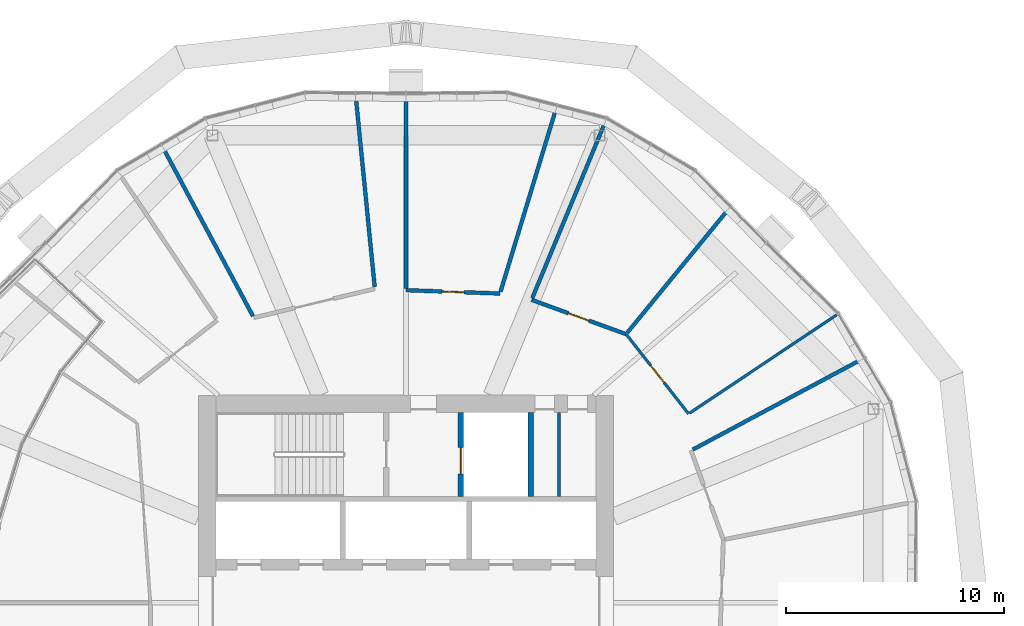
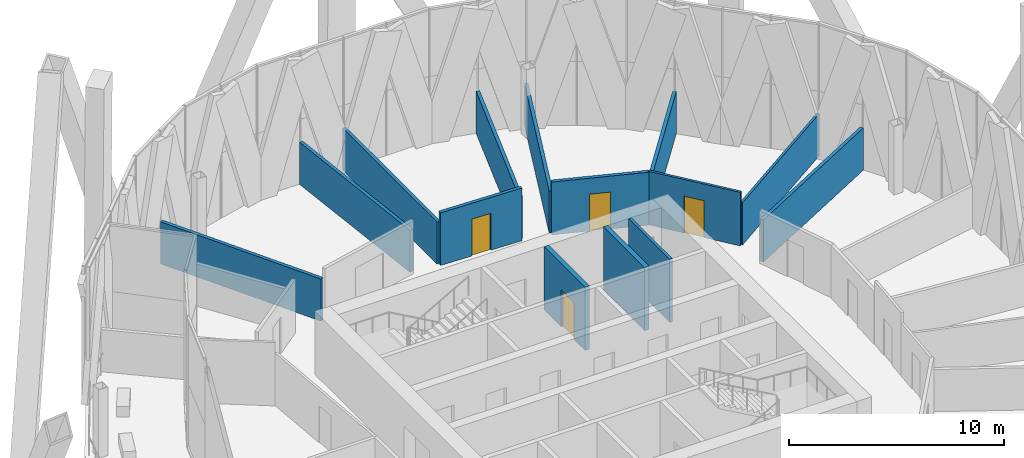
# One storey, part 23 of 30: 14 walls, 4 doors, 4 openings.
"""IFC4 building model written with IfcOpenShell, lengths in metres."""

from ifc_helpers import new_model, si_unit, direction, frame, frame_2d, origin, place, context, subcontext, project, spatial, rectangle, extrude, material, layer, layer_set, type_object, element, fill, save


model = new_model("IFC4")

# Units and contexts
model_context = context("Model", 3, precision=1e-05, world=origin(), true_north=direction((0.0, 1.0)))
body_context = subcontext(model_context, "Body", "Model", "MODEL_VIEW")
ifc_project = project(units=[si_unit("LENGTHUNIT", "METRE"), si_unit("AREAUNIT", "SQUARE_METRE"), si_unit("VOLUMEUNIT", "CUBIC_METRE"), si_unit("PLANEANGLEUNIT", "RADIAN"), si_unit("MASSUNIT", "GRAM", prefix="KILO")], contexts=[model_context])

# Site, building, storey
site_placement = place(None, origin())
site = spatial("IfcSite", under=ifc_project, at=site_placement, CompositionType="ELEMENT")
building_placement = place(site_placement, origin())
building = spatial("IfcBuilding", under=site, at=building_placement, Name="Ogive Gate Towers", CompositionType="ELEMENT")
storey_placement = place(building_placement, frame((0.0, 0.0, 99.60009765625)))
storey = spatial("IfcBuildingStorey", under=building, at=storey_placement, Name="L23", CompositionType="ELEMENT", Elevation=99.60009765625)

# Walls
ifc_material_1 = material(Name="Gypsum board acoustic partition")
ifc_layer_1 = layer(ifc_material_1, 0.175048828125)
ifc_layer_set_1 = layer_set([ifc_layer_1], Name="Acoustic partition 175")
wall_type_1 = type_object("IfcWallType", Name="Acoustic partition 175", PredefinedType="PARTITIONING", material=ifc_layer_set_1)
wall_1_placement = place(storey_placement, frame((-15.1005859375, 11.1640625, 0.0), z_axis=(0.0, 0.0, 1.0), x_axis=(-0.882049803771, -0.471156177576, 0.0)))
element("IfcWall", 1, at=wall_1_placement, inside=storey, type_object=wall_type_1, Name="Partition T1-L23-002", PredefinedType="PARTITIONING", context=body_context, shape_type="SweptSolid", body=[
    extrude(rectangle(XDim=8.8115234375, YDim=0.175048828125, at=frame_2d((4.40576171875, 0.0))), origin(), (0.0, 0.0, 1.0), 2.39990234375),
])
wall_2_placement = place(storey_placement, frame((-21.205322265625, 18.06005859375, 0.0), z_axis=(0.0, 0.0, 1.0), x_axis=(-0.633696392022, -0.773581852643, 0.0)))
element("IfcWall", 2, at=wall_2_placement, inside=storey, type_object=wall_type_1, Name="Partition T1-L23-004", PredefinedType="PARTITIONING", context=body_context, shape_type="SweptSolid", body=[
    extrude(rectangle(XDim=7.361572265625, YDim=0.175048828125, at=frame_2d((3.6806640625, 0.0))), origin(), (0.0, 0.0, 1.0), 2.39990234375),
])
wall_3_placement = place(storey_placement, frame((-26.85009765625, 22.090087890625, 0.0), z_axis=(0.0, 0.0, 1.0), x_axis=(-0.382684585559, -0.923879054842, 0.0)))
element("IfcWall", 3, at=wall_3_placement, inside=storey, type_object=wall_type_1, Name="Partition T1-L23-005", PredefinedType="PARTITIONING", context=body_context, shape_type="SweptSolid", body=[
    extrude(rectangle(XDim=8.8115234375, YDim=0.175048828125, at=frame_2d((4.40576171875, 0.0))), origin(), (0.0, 0.0, 1.0), 2.39990234375),
])
wall_4_placement = place(storey_placement, frame((-29.1162109375, 22.67236328125, 0.0), z_axis=(0.0, 0.0, 1.0), x_axis=(-0.290503348147, -0.956873975357, 0.0)))
element("IfcWall", 4, at=wall_4_placement, inside=storey, type_object=wall_type_1, Name="Partition T1-L23-006", PredefinedType="PARTITIONING", context=body_context, shape_type="SweptSolid", body=[
    extrude(rectangle(XDim=8.811767578125, YDim=0.175048828125, at=frame_2d((4.40576171875, 0.0))), origin(), (0.0, 0.0, 1.0), 2.39990234375),
])
for number, where, z_axis, x_axis, name in (
    (5, (-36.0, 23.208984375, 0.0), (0.0, 0.0, 1.0), (0.0, -1.0, 0.0), "Partition T1-L23-007"),
    (6, (-38.308837890625, 23.231689453125, 0.0), (0.0, 0.0, 1.0), (0.098886463601, -0.995098722397, 0.0), "Partition T1-L23-008"),
    (7, (-47.1640625, 20.8994140625, 0.0), (0.0, 0.0, 1.0), (0.471156177576, -0.882049803771, 0.0), "Partition T1-L23-009"),
):
    element("IfcWall", number, at=place(storey_placement, frame(where, z_axis=z_axis, x_axis=x_axis)), inside=storey, type_object=wall_type_1, Name=name, PredefinedType="PARTITIONING", context=body_context, shape_type="SweptSolid", body=[
        extrude(rectangle(XDim=8.8115234375, YDim=0.175048828125, at=frame_2d((4.40576171875, 0.0))), origin(), (0.0, 0.0, 1.0), 2.39990234375),
    ])

# Wall, opening, door
wall_5_placement = place(storey_placement, frame((-30.255615234375, 13.868408203125, 0.0), z_axis=(0.0, 0.0, 1.0), x_axis=(0.940050059835, -0.341036486325, 0.0)))
wall_5 = element("IfcWall", 8, at=wall_5_placement, inside=storey, type_object=wall_type_1, Name="Partition T1-L23-025", PredefinedType="PARTITIONING", context=body_context, shape_type="SweptSolid", body=[
    extrude(rectangle(XDim=4.60595703125, YDim=0.175048828125, at=frame_2d((2.302978515625, 0.0))), origin(), (0.0, 0.0, 1.0), 3.010009765625),
])
opening_1_placement = place(wall_5_placement, frame((1.802978515625, 0.0, 0.0)))
opening_1 = element("IfcOpeningElement", 9, at=opening_1_placement, cuts=wall_5, Name="Opening T1-L23-D01", PredefinedType="OPENING", context=body_context, shape_type="SweptSolid", body=[
    extrude(rectangle(XDim=1.0, YDim=2.10009765625, at=frame_2d((0.5, 1.050048828125))), frame((0.0, 0.09765625, 0.0), z_axis=(0.0, -1.0, 0.0), x_axis=(1.0, 0.0, 0.0)), (0.0, 0.0, 1.0), 0.195068359375),
])
ifc_material_2 = material(Name="Timber door", Category="wood")
door_type_1 = type_object("IfcDoorType", Name="Door 1000", OperationType="NOTDEFINED", PredefinedType="DOOR", material=ifc_material_2)
door_1_placement = place(opening_1_placement, origin())
door_1 = element("IfcDoor", 10, at=door_1_placement, inside=storey, type_object=door_type_1, Name="Door T1-L23-D01", OperationType="SINGLE_SWING_LEFT", OverallHeight=2.10009765625, OverallWidth=1.0, PredefinedType="DOOR", context=body_context, shape_type="SweptSolid", body=[
    extrude(rectangle(XDim=1.0, YDim=2.10009765625, at=frame_2d((0.5, 1.050048828125))), frame((0.0, 0.02490234375, 0.0), z_axis=(0.0, -1.0, 0.0), x_axis=(1.0, 0.0, 0.0)), (0.0, 0.0, 1.0), 0.050048828125),
])
fill(opening_1, door_1)

wall_6_placement = place(storey_placement, frame((-36.0, 14.31005859375, 0.0), z_axis=(0.0, 0.0, 1.0), x_axis=(0.999366464687, -0.035590297249, 0.0)))
wall_6 = element("IfcWall", 11, at=wall_6_placement, inside=storey, type_object=wall_type_1, Name="Partition T1-L23-042", PredefinedType="PARTITIONING", context=body_context, shape_type="SweptSolid", body=[
    extrude(rectangle(XDim=4.301025390625, YDim=0.175048828125, at=frame_2d((2.150390625, 0.0))), origin(), (0.0, 0.0, 1.0), 3.0),
])
opening_2_placement = place(wall_6_placement, frame((1.65087890625, 0.0, 0.0)))
opening_2 = element("IfcOpeningElement", 12, at=opening_2_placement, cuts=wall_6, Name="Opening T1-L23-D18", PredefinedType="OPENING", context=body_context, shape_type="SweptSolid", body=[
    extrude(rectangle(XDim=1.0, YDim=2.10009765625, at=frame_2d((0.5, 1.050048828125))), frame((0.0, 0.09765625, 0.0), z_axis=(0.0, -1.0, 0.0), x_axis=(1.0, 0.0, 0.0)), (0.0, 0.0, 1.0), 0.195068359375),
])
door_2_placement = place(opening_2_placement, origin())
door_2 = element("IfcDoor", 13, at=door_2_placement, inside=storey, type_object=door_type_1, Name="Door T1-L23-D18", OperationType="SINGLE_SWING_RIGHT", OverallHeight=2.10009765625, OverallWidth=1.0, PredefinedType="DOOR", context=body_context, shape_type="SweptSolid", body=[
    extrude(rectangle(XDim=1.0, YDim=2.10009765625, at=frame_2d((0.5, 1.050048828125))), frame((0.0, 0.02490234375, 0.0), z_axis=(0.0, -1.0, 0.0), x_axis=(1.0, 0.0, 0.0)), (0.0, 0.0, 1.0), 0.050048828125),
])
fill(opening_2, door_2)

# Wall
ifc_material_3 = material(Name="Gypsum board partition")
ifc_layer_2 = layer(ifc_material_3, 0.125)
ifc_layer_set_2 = layer_set([ifc_layer_2], Name="Partition 125")
wall_type_2 = type_object("IfcWallType", Name="Partition 125", PredefinedType="PARTITIONING", material=ifc_layer_set_2)
wall_7_placement = place(storey_placement, frame((-16.290283203125, 13.1787109375, 0.0), z_axis=(0.0, 0.0, 1.0), x_axis=(-0.831292437228, -0.555835302771, 0.0)))
element("IfcWall", 14, at=wall_7_placement, inside=storey, type_object=wall_type_2, Name="Partition T1-L23-003", PredefinedType="PARTITIONING", context=body_context, shape_type="SweptSolid", body=[
    extrude(rectangle(XDim=8.086669921875, YDim=0.125, at=frame_2d((4.04345703125, 0.0))), origin(), (0.0, 0.0, 1.0), 2.39990234375),
])

# Wall, opening, door
wall_8_placement = place(storey_placement, frame((-25.92578125, 12.297607421875, 0.0), z_axis=(0.0, 0.0, 1.0), x_axis=(0.61708176189, -0.786899039994, 0.0)))
wall_8 = element("IfcWall", 15, at=wall_8_placement, inside=storey, type_object=wall_type_2, Name="Partition T1-L23-026", PredefinedType="PARTITIONING", context=body_context, shape_type="SweptSolid", body=[
    extrude(rectangle(XDim=4.636474609375, YDim=0.125, at=frame_2d((2.318359375, 0.0))), origin(), (0.0, 0.0, 1.0), 3.0498046875),
])
opening_3_placement = place(wall_8_placement, frame((1.818115234375, 0.0, 0.0)))
opening_3 = element("IfcOpeningElement", 16, at=opening_3_placement, cuts=wall_8, Name="Opening T1-L23-D02", PredefinedType="OPENING", context=body_context, shape_type="SweptSolid", body=[
    extrude(rectangle(XDim=1.0, YDim=2.10009765625, at=frame_2d((0.5, 1.050048828125))), frame((0.0, 0.072509765625, 0.0), z_axis=(0.0, -1.0, 0.0), x_axis=(1.0, 0.0, 0.0)), (0.0, 0.0, 1.0), 0.14501953125),
])
door_3_placement = place(opening_3_placement, origin())
door_3 = element("IfcDoor", 17, at=door_3_placement, inside=storey, type_object=door_type_1, Name="Door T1-L23-D02", OperationType="SINGLE_SWING_LEFT", OverallHeight=2.10009765625, OverallWidth=1.0, PredefinedType="DOOR", context=body_context, shape_type="SweptSolid", body=[
    extrude(rectangle(XDim=1.0, YDim=2.10009765625, at=frame_2d((0.5, 1.050048828125))), frame((0.0, 0.02490234375, 0.0), z_axis=(0.0, -1.0, 0.0), x_axis=(1.0, 0.0, 0.0)), (0.0, 0.0, 1.0), 0.050048828125),
])
fill(opening_3, door_3)

# Wall
ifc_layer_3 = layer(ifc_material_3, 0.14990234375)
ifc_layer_set_3 = layer_set([ifc_layer_3], Name="Room partition 150 mm")
wall_type_3 = type_object("IfcWallType", Name="Room partition 150 mm", PredefinedType="PARTITIONING", material=ifc_layer_set_3)
wall_9_placement = place(storey_placement, frame((-29.0, 4.875, 0.0), z_axis=(0.0, 0.0, 1.0), x_axis=(0.0, 1.0, 0.0)))
element("IfcWall", 18, at=wall_9_placement, inside=storey, type_object=wall_type_3, Name="T1 L23 Room partition 150 mm", PredefinedType="PARTITIONING", context=body_context, shape_type="SweptSolid", body=[
    extrude(rectangle(XDim=3.824951171875, YDim=0.14990234375, at=frame_2d((1.91259765625, 0.0))), origin(), (0.0, 0.0, 1.0), 3.599853515625),
])

# Wall, opening, door
ifc_material_4 = material(Name="Concrete C60/75", Category="concrete")
ifc_layer_4 = layer(ifc_material_4, 0.25)
ifc_layer_set_4 = layer_set([ifc_layer_4], Name="Shaft wall 250 mm")
wall_type_4 = type_object("IfcWallType", Name="Shaft wall 250 mm", PredefinedType="SHEAR", material=ifc_layer_set_4)
wall_10_placement = place(storey_placement, frame((-33.5, 4.875, 0.0), z_axis=(0.0, 0.0, 1.0), x_axis=(0.0, 1.0, 0.0)))
wall_10 = element("IfcWall", 19, at=wall_10_placement, inside=storey, type_object=wall_type_4, Name="T1 L23 Shaft wall 250 mm", PredefinedType="SHEAR", context=body_context, shape_type="SweptSolid", body=[
    extrude(rectangle(XDim=3.824951171875, YDim=0.25, at=frame_2d((1.91259765625, 0.0))), origin(), (0.0, 0.0, 1.0), 3.599853515625),
])
opening_4_placement = place(wall_10_placement, frame((1.02490234375, 0.0, 0.0)))
opening_4 = element("IfcOpeningElement", 20, at=opening_4_placement, cuts=wall_10, Name="Opening LD-T1-L23-10", PredefinedType="OPENING", context=body_context, shape_type="SweptSolid", body=[
    extrude(rectangle(XDim=1.199951171875, YDim=2.10009765625, at=frame_2d((0.60009765625, 1.050048828125))), frame((0.0, 0.135009765625, 0.0), z_axis=(0.0, -1.0, 0.0), x_axis=(1.0, 0.0, 0.0)), (0.0, 0.0, 1.0), 0.27001953125),
])
ifc_material_5 = material(Name="Stainless steel landing door", Category="steel")
door_type_2 = type_object("IfcDoorType", Name="Landing door 1200 x 2100", OperationType="SLIDING_TO_LEFT", PredefinedType="DOOR", material=ifc_material_5)
door_4_placement = place(opening_4_placement, origin())
door_4 = element("IfcDoor", 21, at=door_4_placement, inside=storey, type_object=door_type_2, Name="T1 L23 Lift landing door FF1", OperationType="SLIDING_TO_LEFT", OverallHeight=2.10009765625, OverallWidth=1.199951171875, PredefinedType="DOOR", context=body_context, shape_type="SweptSolid", body=[
    extrude(rectangle(XDim=1.199951171875, YDim=2.10009765625, at=frame_2d((0.60009765625, 1.050048828125))), frame((0.0, 0.02490234375, 0.0), z_axis=(0.0, -1.0, 0.0), x_axis=(1.0, 0.0, 0.0)), (0.0, 0.0, 1.0), 0.050048828125),
])
fill(opening_4, door_4)

# Wall
wall_11_placement = place(storey_placement, frame((-30.300048828125, 4.875, 0.0), z_axis=(0.0, 0.0, 1.0), x_axis=(0.0, 1.0, 0.0)))
element("IfcWall", 22, at=wall_11_placement, inside=storey, type_object=wall_type_4, Name="T1 L23 Shaft wall 250 mm", PredefinedType="SHEAR", context=body_context, shape_type="SweptSolid", body=[
    extrude(rectangle(XDim=3.824951171875, YDim=0.25, at=frame_2d((1.91259765625, 0.0))), origin(), (0.0, 0.0, 1.0), 3.599853515625),
])

save(model, "model.ifc")
